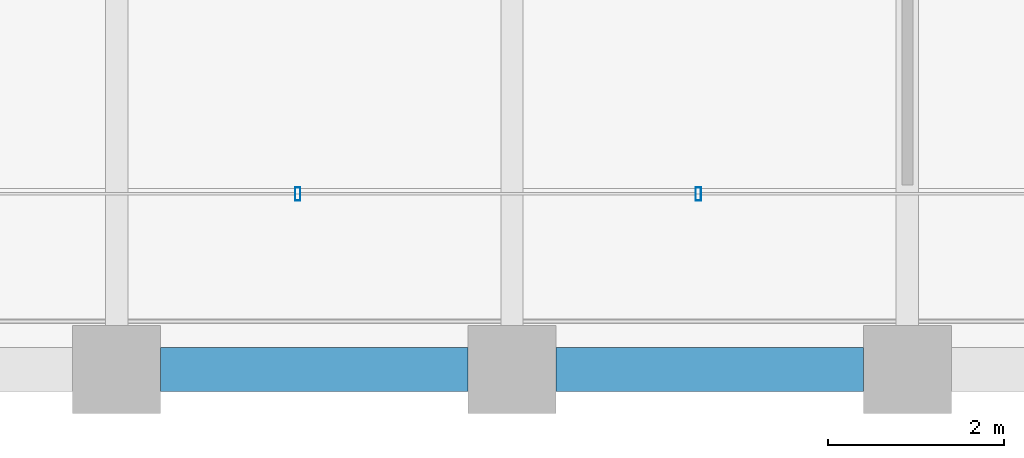
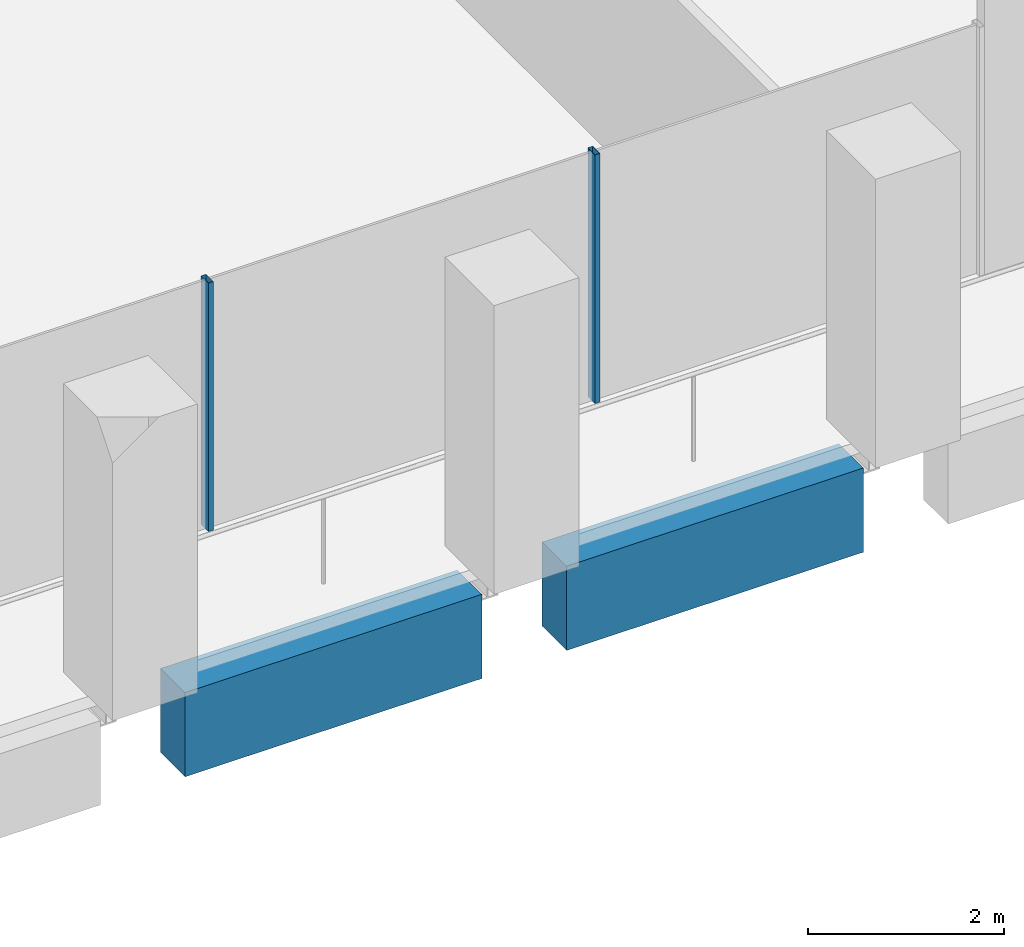
# One storey, part 3 of 46: 2 beams, 2 members, 1 element without a shape of its own.
"""IFC4 building model written with IfcOpenShell, lengths in metres."""

from ifc_helpers import new_model, si_unit, direction, frame, origin, origin_2d, place, context, subcontext, project, spatial, rectangle, hollow_rectangle, extrude, material, material_profile, profile_set, type_object, element, aggregate, save


model = new_model("IFC4")

# Units and contexts
model_context = context("Model", 3, precision=1e-05, world=origin(), true_north=direction((0.0, 1.0)))
body_context = subcontext(model_context, "Body", "Model", "MODEL_VIEW")
ifc_project = project(units=[si_unit("LENGTHUNIT", "METRE"), si_unit("AREAUNIT", "SQUARE_METRE"), si_unit("VOLUMEUNIT", "CUBIC_METRE"), si_unit("PLANEANGLEUNIT", "RADIAN"), si_unit("MASSUNIT", "GRAM", prefix="KILO")], contexts=[model_context])

# Site, building, storey
site_placement = place(None, origin())
site = spatial("IfcSite", under=ifc_project, at=site_placement, CompositionType="ELEMENT")
building_placement = place(site_placement, origin())
building = spatial("IfcBuilding", under=site, at=building_placement, Name="Altepetl Exchange Towers", CompositionType="ELEMENT")
storey_placement = place(building_placement, frame((0.0, 0.0, 102.800048828125)))
storey = spatial("IfcBuildingStorey", under=building, at=storey_placement, Name="L25", CompositionType="ELEMENT", Elevation=102.800048828125)

# Curtain wall, members
ifc_material_1 = material(Name="Aluminium 6063-T6 glazing", Category="aluminium")
curtain_wall_type = type_object("IfcCurtainWallType", Name="Loggia glazing system", PredefinedType="NOTDEFINED", material=ifc_material_1)
curtain_wall_placement = place(storey_placement, origin())
curtain_wall = element("IfcCurtainWall", 1, at=curtain_wall_placement, inside=storey, type_object=curtain_wall_type, Name="CW1 run", PredefinedType="NOTDEFINED")
ifc_material_2 = material(Name="Aluminium 6063-T6", Category="aluminium")
ifc_material_profile_1 = material_profile(ifc_material_2, hollow_rectangle(XDim=0.06005859375, YDim=0.14990234375, WallThickness=0.0029296875, at=origin_2d()), Name="Mullion 60x150 aluminium")
ifc_profile_set_1 = profile_set([ifc_material_profile_1], Name="Aluminium 6063-T6")
member_type = type_object("IfcMemberType", Name="Mullion 60x150 aluminium", PredefinedType="MULLION", material=ifc_profile_set_1)
member_1_placement = place(storey_placement, frame((38.060791015625, 29.0, 0.0)))
member_1 = element("IfcMember", 2, at=member_1_placement, type_object=member_type, Name="MU1 mullion", PredefinedType="MULLION", context=body_context, shape_type="SweptSolid", body=[
    extrude(hollow_rectangle(XDim=0.06005859375, YDim=0.14990234375, WallThickness=0.0029296875, at=origin_2d()), origin(), (0.0, 0.0, 1.0), 3.099853515625),
])
member_2_placement = place(storey_placement, frame((42.621337890625, 29.0, 0.0)))
member_2 = element("IfcMember", 3, at=member_2_placement, type_object=member_type, Name="MU1 mullion", PredefinedType="MULLION", context=body_context, shape_type="SweptSolid", body=[
    extrude(hollow_rectangle(XDim=0.06005859375, YDim=0.14990234375, WallThickness=0.0029296875, at=origin_2d()), origin(), (0.0, 0.0, 1.0), 3.099853515625),
])
aggregate(curtain_wall, [member_1, member_2])

# Beams
ifc_material_3 = material(Name="Concrete C50/60 precast with cantera blanca facing", Category="concrete")
ifc_material_profile_2 = material_profile(ifc_material_3, rectangle(XDim=0.5, YDim=1.050048828125, at=origin_2d()), Name="500 x 1050")
ifc_profile_set_2 = profile_set([ifc_material_profile_2], Name="Concrete C50/60 precast with cantera blanca facing")
beam_type = type_object("IfcBeamType", Name="Spandrel beam 500x1050 cantera blanca", PredefinedType="SPANDREL", material=ifc_profile_set_2)
for number, where, z_axis, x_axis, name in (
    (4, (36.5, 27.0, -0.675048828125), (1.0, 0.0, 0.0), (0.0, 1.0, 0.0), "sp:A:L25:001"),
    (5, (41.0, 27.0, -0.675048828125), (1.0, 0.0, 0.0), (0.0, 1.0, 0.0), "sp:A:L25:002"),
):
    element("IfcBeam", number, at=place(storey_placement, frame(where, z_axis=z_axis, x_axis=x_axis)), inside=storey, type_object=beam_type, Name=name, PredefinedType="SPANDREL", context=body_context, shape_type="SweptSolid", body=[
        extrude(rectangle(XDim=0.5, YDim=1.050048828125, at=origin_2d()), origin(), (0.0, 0.0, 1.0), 3.5),
    ])

save(model, "model.ifc")
